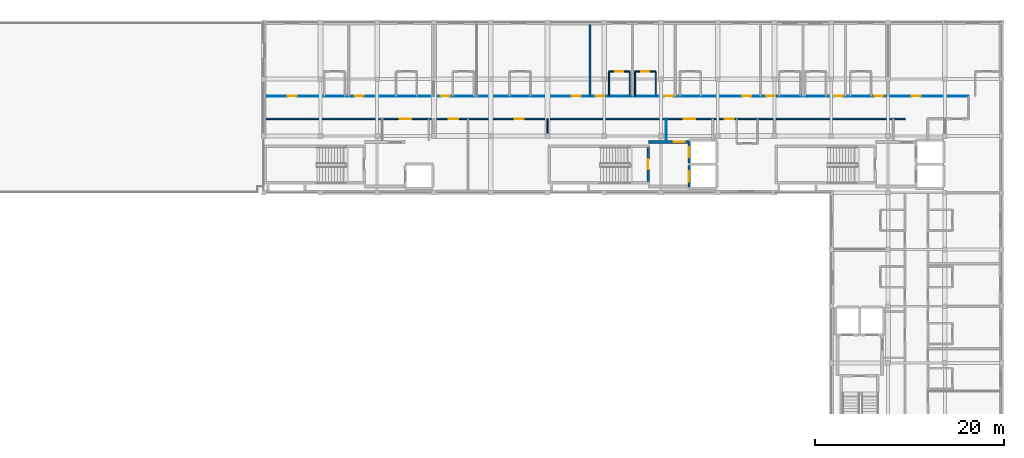
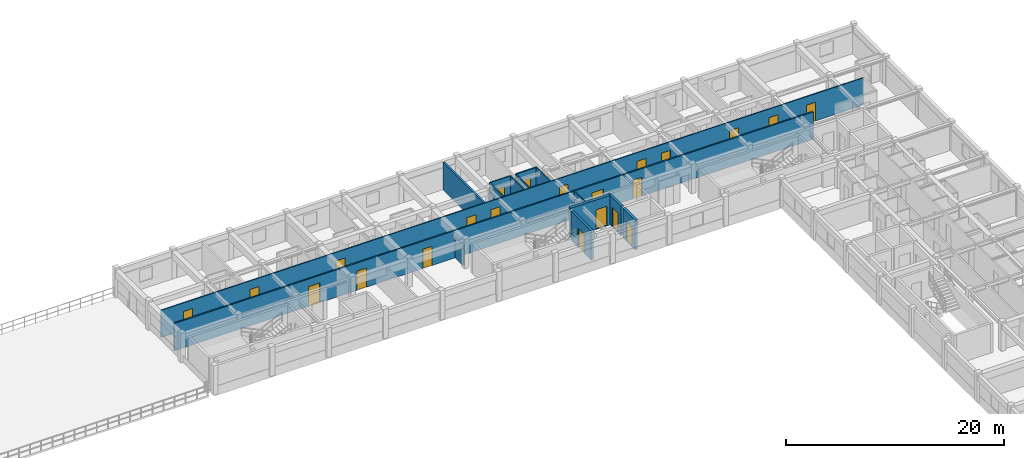
# One storey, part 8 of 15: 22 doors, 15 walls, 22 openings.
"""IFC4 building model written with IfcOpenShell, lengths in metres."""

from ifc_helpers import new_model, si_unit, direction, frame, frame_2d, origin, place, context, subcontext, project, spatial, rectangle, extrude, material, layer, layer_set, type_object, element, fill, save


model = new_model("IFC4")

# Units and contexts
model_context = context("Model", 3, precision=1e-05, world=origin(), true_north=direction((0.0, 1.0)))
body_context = subcontext(model_context, "Body", "Model", "MODEL_VIEW")
ifc_project = project(units=[si_unit("LENGTHUNIT", "METRE"), si_unit("AREAUNIT", "SQUARE_METRE"), si_unit("VOLUMEUNIT", "CUBIC_METRE"), si_unit("PLANEANGLEUNIT", "RADIAN"), si_unit("MASSUNIT", "GRAM", prefix="KILO"), si_unit("THERMODYNAMICTEMPERATUREUNIT", "KELVIN"), si_unit("POWERUNIT", "WATT")], contexts=[model_context])

# Site, building, storey
site_placement = place(None, origin())
site = spatial("IfcSite", under=ifc_project, at=site_placement, CompositionType="ELEMENT")
building_placement = place(site_placement, origin())
building = spatial("IfcBuilding", under=site, at=building_placement, Name="Phaisarnlok Congress Hotel", CompositionType="ELEMENT")
storey_placement = place(building_placement, frame((0.0, 0.0, 38.10009765625)))
storey = spatial("IfcBuildingStorey", under=building, at=storey_placement, Name="L09", CompositionType="ELEMENT", Elevation=38.10009765625)

# Wall
ifc_material_1 = material(Name="Service Riser Shaftwall Partition", Category="gypsum")
ifc_layer_1 = layer(ifc_material_1, 0.10498046875, Name="Service Riser Shaftwall Partition")
ifc_layer_set_1 = layer_set([ifc_layer_1], Name="Service Riser Shaftwall Partition")
wall_type_1 = type_object("IfcWallType", Name="WL-INT-105", PredefinedType="PARTITIONING", material=ifc_layer_set_1)
wall_1_placement = place(storey_placement, frame((144.550048828125, 113.56005859375, 0.0), z_axis=(0.0, 0.0, 1.0), x_axis=(0.0, 1.0, 0.0)))
element("IfcWall", 1, at=wall_1_placement, inside=storey, type_object=wall_type_1, Name="Interior partition wall IW-08 (L09)", PredefinedType="PARTITIONING", context=body_context, shape_type="SweptSolid", body=[
    extrude(rectangle(XDim=2.239990234375, YDim=0.10498046875, at=frame_2d((1.1201171875, 0.0))), origin(), (0.0, 0.0, 1.0), 3.059814453125),
])

# Wall, openings, doors
wall_2_placement = place(storey_placement, frame((102.215087890625, 118.199951171875, 0.0), z_axis=(0.0, 0.0, 1.0), x_axis=(1.0, 0.0, 0.0)))
wall_2 = element("IfcWall", 2, at=wall_2_placement, inside=storey, type_object=wall_type_1, Name="Interior partition wall IW-08 (L09)", PredefinedType="PARTITIONING", context=body_context, shape_type="SweptSolid", body=[
    extrude(rectangle(XDim=74.284912109375, YDim=0.10498046875, at=frame_2d((37.142578125, 0.0))), origin(), (0.0, 0.0, 1.0), 3.059814453125),
])
opening_1_placement = place(wall_2_placement, frame((2.360107421875, 0.0, 0.0)))
opening_1 = element("IfcOpeningElement", 3, at=opening_1_placement, cuts=wall_2, Name="Opening D-0493", PredefinedType="OPENING", context=body_context, shape_type="SweptSolid", body=[
    extrude(rectangle(XDim=0.949951171875, YDim=2.10009765625, at=frame_2d((0.47509765625, 1.050048828125))), frame((0.0, 0.0625, 0.0), z_axis=(0.0, -1.0, 0.0), x_axis=(1.0, 0.0, 0.0)), (0.0, 0.0, 1.0), 0.125),
])
opening_2_placement = place(wall_2_placement, frame((9.409912109375, 0.0, 0.0)))
opening_2 = element("IfcOpeningElement", 4, at=opening_2_placement, cuts=wall_2, Name="Opening D-0495", PredefinedType="OPENING", context=body_context, shape_type="SweptSolid", body=[
    extrude(rectangle(XDim=0.949951171875, YDim=2.10009765625, at=frame_2d((0.47509765625, 1.050048828125))), frame((0.0, 0.0625, 0.0), z_axis=(0.0, -1.0, 0.0), x_axis=(1.0, 0.0, 0.0)), (0.0, 0.0, 1.0), 0.125),
])
opening_3_placement = place(wall_2_placement, frame((18.510009765625, 0.0, 0.0)))
opening_3 = element("IfcOpeningElement", 5, at=opening_3_placement, cuts=wall_2, Name="Opening D-0497", PredefinedType="OPENING", context=body_context, shape_type="SweptSolid", body=[
    extrude(rectangle(XDim=0.949951171875, YDim=2.10009765625, at=frame_2d((0.47509765625, 1.050048828125))), frame((0.0, 0.0625, 0.0), z_axis=(0.0, -1.0, 0.0), x_axis=(1.0, 0.0, 0.0)), (0.0, 0.0, 1.0), 0.125),
])
opening_4_placement = place(wall_2_placement, frame((32.360107421875, 0.0, 0.0)))
opening_4 = element("IfcOpeningElement", 6, at=opening_4_placement, cuts=wall_2, Name="Opening D-0499", PredefinedType="OPENING", context=body_context, shape_type="SweptSolid", body=[
    extrude(rectangle(XDim=0.949951171875, YDim=2.10009765625, at=frame_2d((0.47509765625, 1.050048828125))), frame((0.0, 0.0625, 0.0), z_axis=(0.0, -1.0, 0.0), x_axis=(1.0, 0.0, 0.0)), (0.0, 0.0, 1.0), 0.125),
])
opening_5_placement = place(wall_2_placement, frame((34.909912109375, 0.0, 0.0)))
opening_5 = element("IfcOpeningElement", 7, at=opening_5_placement, cuts=wall_2, Name="Opening D-0501", PredefinedType="OPENING", context=body_context, shape_type="SweptSolid", body=[
    extrude(rectangle(XDim=0.949951171875, YDim=2.10009765625, at=frame_2d((0.47509765625, 1.050048828125))), frame((0.0, 0.0625, 0.0), z_axis=(0.0, -1.0, 0.0), x_axis=(1.0, 0.0, 0.0)), (0.0, 0.0, 1.0), 0.125),
])
opening_6_placement = place(wall_2_placement, frame((42.110107421875, 0.0, 0.0)))
opening_6 = element("IfcOpeningElement", 8, at=opening_6_placement, cuts=wall_2, Name="Opening D-0503", PredefinedType="OPENING", context=body_context, shape_type="SweptSolid", body=[
    extrude(rectangle(XDim=0.949951171875, YDim=2.10009765625, at=frame_2d((0.47509765625, 1.050048828125))), frame((0.0, 0.0625, 0.0), z_axis=(0.0, -1.0, 0.0), x_axis=(1.0, 0.0, 0.0)), (0.0, 0.0, 1.0), 0.125),
])
opening_7_placement = place(wall_2_placement, frame((50.360107421875, 0.0, 0.0)))
opening_7 = element("IfcOpeningElement", 9, at=opening_7_placement, cuts=wall_2, Name="Opening D-0505", PredefinedType="OPENING", context=body_context, shape_type="SweptSolid", body=[
    extrude(rectangle(XDim=0.949951171875, YDim=2.10009765625, at=frame_2d((0.47509765625, 1.050048828125))), frame((0.0, 0.0625, 0.0), z_axis=(0.0, -1.0, 0.0), x_axis=(1.0, 0.0, 0.0)), (0.0, 0.0, 1.0), 0.125),
])
opening_8_placement = place(wall_2_placement, frame((52.909912109375, 0.0, 0.0)))
opening_8 = element("IfcOpeningElement", 10, at=opening_8_placement, cuts=wall_2, Name="Opening D-0507", PredefinedType="OPENING", context=body_context, shape_type="SweptSolid", body=[
    extrude(rectangle(XDim=0.949951171875, YDim=2.10009765625, at=frame_2d((0.47509765625, 1.050048828125))), frame((0.0, 0.0625, 0.0), z_axis=(0.0, -1.0, 0.0), x_axis=(1.0, 0.0, 0.0)), (0.0, 0.0, 1.0), 0.125),
])
opening_9_placement = place(wall_2_placement, frame((60.110107421875, 0.0, 0.0)))
opening_9 = element("IfcOpeningElement", 11, at=opening_9_placement, cuts=wall_2, Name="Opening D-0509", PredefinedType="OPENING", context=body_context, shape_type="SweptSolid", body=[
    extrude(rectangle(XDim=0.949951171875, YDim=2.10009765625, at=frame_2d((0.47509765625, 1.050048828125))), frame((0.0, 0.0625, 0.0), z_axis=(0.0, -1.0, 0.0), x_axis=(1.0, 0.0, 0.0)), (0.0, 0.0, 1.0), 0.125),
])
opening_10_placement = place(wall_2_placement, frame((64.31005859375, 0.0, 0.0)))
opening_10 = element("IfcOpeningElement", 12, at=opening_10_placement, cuts=wall_2, Name="Opening D-0511", PredefinedType="OPENING", context=body_context, shape_type="SweptSolid", body=[
    extrude(rectangle(XDim=0.949951171875, YDim=2.10009765625, at=frame_2d((0.47509765625, 1.050048828125))), frame((0.0, 0.0625, 0.0), z_axis=(0.0, -1.0, 0.0), x_axis=(1.0, 0.0, 0.0)), (0.0, 0.0, 1.0), 0.125),
])
opening_11_placement = place(wall_2_placement, frame((68.260009765625, 0.0, 0.0)))
opening_11 = element("IfcOpeningElement", 13, at=opening_11_placement, cuts=wall_2, Name="Opening D-0513", PredefinedType="OPENING", context=body_context, shape_type="SweptSolid", body=[
    extrude(rectangle(XDim=0.949951171875, YDim=2.10009765625, at=frame_2d((0.47509765625, 1.050048828125))), frame((0.0, 0.0625, 0.0), z_axis=(0.0, -1.0, 0.0), x_axis=(1.0, 0.0, 0.0)), (0.0, 0.0, 1.0), 0.125),
])
ifc_material_2 = material(Name="Acoustic Solid-Core Teak Veneer", Category="wood")
door_type_1 = type_object("IfcDoorType", Name="DR-FD30-950", OperationType="NOTDEFINED", PredefinedType="DOOR", material=ifc_material_2)
door_1_placement = place(opening_1_placement, origin())
door_1 = element("IfcDoor", 14, at=door_1_placement, inside=storey, type_object=door_type_1, Name="Interior door D-0493 (L09)", OperationType="SINGLE_SWING_RIGHT", OverallHeight=2.10009765625, OverallWidth=0.949951171875, PredefinedType="DOOR", context=body_context, shape_type="SweptSolid", body=[
    extrude(rectangle(XDim=0.949951171875, YDim=2.10009765625, at=frame_2d((0.47509765625, 1.050048828125))), frame((0.0, 0.02490234375, 0.0), z_axis=(0.0, -1.0, 0.0), x_axis=(1.0, 0.0, 0.0)), (0.0, 0.0, 1.0), 0.050048828125),
])
fill(opening_1, door_1)
door_2_placement = place(opening_2_placement, origin())
door_2 = element("IfcDoor", 15, at=door_2_placement, inside=storey, type_object=door_type_1, Name="Interior door D-0495 (L09)", OperationType="SINGLE_SWING_RIGHT", OverallHeight=2.10009765625, OverallWidth=0.949951171875, PredefinedType="DOOR", context=body_context, shape_type="SweptSolid", body=[
    extrude(rectangle(XDim=0.949951171875, YDim=2.10009765625, at=frame_2d((0.47509765625, 1.050048828125))), frame((0.0, 0.02490234375, 0.0), z_axis=(0.0, -1.0, 0.0), x_axis=(1.0, 0.0, 0.0)), (0.0, 0.0, 1.0), 0.050048828125),
])
fill(opening_2, door_2)
door_3_placement = place(opening_3_placement, origin())
door_3 = element("IfcDoor", 16, at=door_3_placement, inside=storey, type_object=door_type_1, Name="Interior door D-0497 (L09)", OperationType="SINGLE_SWING_RIGHT", OverallHeight=2.10009765625, OverallWidth=0.949951171875, PredefinedType="DOOR", context=body_context, shape_type="SweptSolid", body=[
    extrude(rectangle(XDim=0.949951171875, YDim=2.10009765625, at=frame_2d((0.47509765625, 1.050048828125))), frame((0.0, 0.02490234375, 0.0), z_axis=(0.0, -1.0, 0.0), x_axis=(1.0, 0.0, 0.0)), (0.0, 0.0, 1.0), 0.050048828125),
])
fill(opening_3, door_3)
door_4_placement = place(opening_4_placement, origin())
door_4 = element("IfcDoor", 17, at=door_4_placement, inside=storey, type_object=door_type_1, Name="Interior door D-0499 (L09)", OperationType="SINGLE_SWING_RIGHT", OverallHeight=2.10009765625, OverallWidth=0.949951171875, PredefinedType="DOOR", context=body_context, shape_type="SweptSolid", body=[
    extrude(rectangle(XDim=0.949951171875, YDim=2.10009765625, at=frame_2d((0.47509765625, 1.050048828125))), frame((0.0, 0.02490234375, 0.0), z_axis=(0.0, -1.0, 0.0), x_axis=(1.0, 0.0, 0.0)), (0.0, 0.0, 1.0), 0.050048828125),
])
fill(opening_4, door_4)
door_5_placement = place(opening_5_placement, origin())
door_5 = element("IfcDoor", 18, at=door_5_placement, inside=storey, type_object=door_type_1, Name="Interior door D-0501 (L09)", OperationType="SINGLE_SWING_RIGHT", OverallHeight=2.10009765625, OverallWidth=0.949951171875, PredefinedType="DOOR", context=body_context, shape_type="SweptSolid", body=[
    extrude(rectangle(XDim=0.949951171875, YDim=2.10009765625, at=frame_2d((0.47509765625, 1.050048828125))), frame((0.0, 0.02490234375, 0.0), z_axis=(0.0, -1.0, 0.0), x_axis=(1.0, 0.0, 0.0)), (0.0, 0.0, 1.0), 0.050048828125),
])
fill(opening_5, door_5)
door_6_placement = place(opening_6_placement, origin())
door_6 = element("IfcDoor", 19, at=door_6_placement, inside=storey, type_object=door_type_1, Name="Interior door D-0503 (L09)", OperationType="SINGLE_SWING_RIGHT", OverallHeight=2.10009765625, OverallWidth=0.949951171875, PredefinedType="DOOR", context=body_context, shape_type="SweptSolid", body=[
    extrude(rectangle(XDim=0.949951171875, YDim=2.10009765625, at=frame_2d((0.47509765625, 1.050048828125))), frame((0.0, 0.02490234375, 0.0), z_axis=(0.0, -1.0, 0.0), x_axis=(1.0, 0.0, 0.0)), (0.0, 0.0, 1.0), 0.050048828125),
])
fill(opening_6, door_6)
door_7_placement = place(opening_7_placement, origin())
door_7 = element("IfcDoor", 20, at=door_7_placement, inside=storey, type_object=door_type_1, Name="Interior door D-0505 (L09)", OperationType="SINGLE_SWING_RIGHT", OverallHeight=2.10009765625, OverallWidth=0.949951171875, PredefinedType="DOOR", context=body_context, shape_type="SweptSolid", body=[
    extrude(rectangle(XDim=0.949951171875, YDim=2.10009765625, at=frame_2d((0.47509765625, 1.050048828125))), frame((0.0, 0.02490234375, 0.0), z_axis=(0.0, -1.0, 0.0), x_axis=(1.0, 0.0, 0.0)), (0.0, 0.0, 1.0), 0.050048828125),
])
fill(opening_7, door_7)
door_8_placement = place(opening_8_placement, origin())
door_8 = element("IfcDoor", 21, at=door_8_placement, inside=storey, type_object=door_type_1, Name="Interior door D-0507 (L09)", OperationType="SINGLE_SWING_RIGHT", OverallHeight=2.10009765625, OverallWidth=0.949951171875, PredefinedType="DOOR", context=body_context, shape_type="SweptSolid", body=[
    extrude(rectangle(XDim=0.949951171875, YDim=2.10009765625, at=frame_2d((0.47509765625, 1.050048828125))), frame((0.0, 0.02490234375, 0.0), z_axis=(0.0, -1.0, 0.0), x_axis=(1.0, 0.0, 0.0)), (0.0, 0.0, 1.0), 0.050048828125),
])
fill(opening_8, door_8)
door_9_placement = place(opening_9_placement, origin())
door_9 = element("IfcDoor", 22, at=door_9_placement, inside=storey, type_object=door_type_1, Name="Interior door D-0509 (L09)", OperationType="SINGLE_SWING_RIGHT", OverallHeight=2.10009765625, OverallWidth=0.949951171875, PredefinedType="DOOR", context=body_context, shape_type="SweptSolid", body=[
    extrude(rectangle(XDim=0.949951171875, YDim=2.10009765625, at=frame_2d((0.47509765625, 1.050048828125))), frame((0.0, 0.02490234375, 0.0), z_axis=(0.0, -1.0, 0.0), x_axis=(1.0, 0.0, 0.0)), (0.0, 0.0, 1.0), 0.050048828125),
])
fill(opening_9, door_9)
door_10_placement = place(opening_10_placement, origin())
door_10 = element("IfcDoor", 23, at=door_10_placement, inside=storey, type_object=door_type_1, Name="Interior door D-0511 (L09)", OperationType="SINGLE_SWING_RIGHT", OverallHeight=2.10009765625, OverallWidth=0.949951171875, PredefinedType="DOOR", context=body_context, shape_type="SweptSolid", body=[
    extrude(rectangle(XDim=0.949951171875, YDim=2.10009765625, at=frame_2d((0.47509765625, 1.050048828125))), frame((0.0, 0.02490234375, 0.0), z_axis=(0.0, -1.0, 0.0), x_axis=(1.0, 0.0, 0.0)), (0.0, 0.0, 1.0), 0.050048828125),
])
fill(opening_10, door_10)
door_11_placement = place(opening_11_placement, origin())
door_11 = element("IfcDoor", 24, at=door_11_placement, inside=storey, type_object=door_type_1, Name="Interior door D-0513 (L09)", OperationType="SINGLE_SWING_RIGHT", OverallHeight=2.10009765625, OverallWidth=0.949951171875, PredefinedType="DOOR", context=body_context, shape_type="SweptSolid", body=[
    extrude(rectangle(XDim=0.949951171875, YDim=2.10009765625, at=frame_2d((0.47509765625, 1.050048828125))), frame((0.0, 0.02490234375, 0.0), z_axis=(0.0, -1.0, 0.0), x_axis=(1.0, 0.0, 0.0)), (0.0, 0.0, 1.0), 0.050048828125),
])
fill(opening_11, door_11)

# Walls
ifc_material_3 = material(Name="Lightweight Metal-Stud Gypsum Partition", Category="gypsum")
ifc_layer_2 = layer(ifc_material_3, 0.1201171875, Name="Lightweight Metal-Stud Gypsum Partition")
ifc_layer_set_2 = layer_set([ifc_layer_2], Name="Lightweight Metal-Stud Gypsum Partition")
wall_type_2 = type_object("IfcWallType", Name="WL-INT-120", PredefinedType="PARTITIONING", material=ifc_layer_set_2)
for number, where, z_axis, x_axis, name in (
    (25, (140.699951171875, 118.199951171875, 0.0), (0.0, 0.0, 1.0), (0.0, 1.0, 0.0), "Interior partition wall IW-07 (L09)"),
    (26, (141.25, 118.199951171875, 0.0), (0.0, 0.0, 1.0), (0.0, 1.0, 0.0), "Interior partition wall IW-07 (L09)"),
):
    element("IfcWall", number, at=place(storey_placement, frame(where, z_axis=z_axis, x_axis=x_axis)), inside=storey, type_object=wall_type_2, Name=name, PredefinedType="PARTITIONING", context=body_context, shape_type="SweptSolid", body=[
        extrude(rectangle(XDim=2.60009765625, YDim=0.1201171875, at=frame_2d((1.300048828125, 0.0))), origin(), (0.0, 0.0, 1.0), 3.059814453125),
    ])

# Wall, opening, door
wall_3_placement = place(storey_placement, frame((138.5, 120.800048828125, 0.0), z_axis=(0.0, 0.0, 1.0), x_axis=(1.0, 0.0, 0.0)))
wall_3 = element("IfcWall", 27, at=wall_3_placement, inside=storey, type_object=wall_type_2, Name="Interior partition wall IW-07 (L09)", PredefinedType="PARTITIONING", context=body_context, shape_type="SweptSolid", body=[
    extrude(rectangle(XDim=2.199951171875, YDim=0.1201171875, at=frame_2d((1.10009765625, 0.0))), origin(), (0.0, 0.0, 1.0), 3.059814453125),
])
opening_12_placement = place(wall_3_placement, frame((0.675048828125, 0.0, 0.0)))
opening_12 = element("IfcOpeningElement", 28, at=opening_12_placement, cuts=wall_3, Name="Opening D-0500", PredefinedType="OPENING", context=body_context, shape_type="SweptSolid", body=[
    extrude(rectangle(XDim=0.85009765625, YDim=2.10009765625, at=frame_2d((0.425048828125, 1.050048828125))), frame((0.0, 0.070068359375, 0.0), z_axis=(0.0, -1.0, 0.0), x_axis=(1.0, 0.0, 0.0)), (0.0, 0.0, 1.0), 0.14013671875),
])
ifc_material_4 = material(Name="Moisture-Resistant Lacquered Timber", Category="wood")
door_type_2 = type_object("IfcDoorType", Name="DR-BATH-850", OperationType="NOTDEFINED", PredefinedType="DOOR", material=ifc_material_4)
door_12_placement = place(opening_12_placement, origin())
door_12 = element("IfcDoor", 29, at=door_12_placement, inside=storey, type_object=door_type_2, Name="Interior door D-0500 (L09)", OperationType="SINGLE_SWING_LEFT", OverallHeight=2.10009765625, OverallWidth=0.85009765625, PredefinedType="DOOR", context=body_context, shape_type="SweptSolid", body=[
    extrude(rectangle(XDim=0.85009765625, YDim=2.10009765625, at=frame_2d((0.425048828125, 1.050048828125))), frame((0.0, 0.02490234375, 0.0), z_axis=(0.0, -1.0, 0.0), x_axis=(1.0, 0.0, 0.0)), (0.0, 0.0, 1.0), 0.050048828125),
])
fill(opening_12, door_12)

# Walls
ifc_material_5 = material(Name="Moisture-Resistant Gypsum Partition", Category="gypsum")
ifc_layer_3 = layer(ifc_material_5, 0.135009765625, Name="Moisture-Resistant Gypsum Partition")
ifc_layer_set_3 = layer_set([ifc_layer_3], Name="Moisture-Resistant Gypsum Partition")
wall_type_3 = type_object("IfcWallType", Name="WL-INT-135", PredefinedType="PARTITIONING", material=ifc_layer_set_3)
for number, where, z_axis, x_axis, name in (
    (30, (138.5, 118.199951171875, 0.0), (0.0, 0.0, 1.0), (0.0, 1.0, 0.0), "Interior partition wall IW-06 (L09)"),
    (31, (143.449951171875, 118.199951171875, 0.0), (0.0, 0.0, 1.0), (0.0, 1.0, 0.0), "Interior partition wall IW-06 (L09)"),
):
    element("IfcWall", number, at=place(storey_placement, frame(where, z_axis=z_axis, x_axis=x_axis)), inside=storey, type_object=wall_type_3, Name=name, PredefinedType="PARTITIONING", context=body_context, shape_type="SweptSolid", body=[
        extrude(rectangle(XDim=2.60009765625, YDim=0.135009765625, at=frame_2d((1.300048828125, 0.0))), origin(), (0.0, 0.0, 1.0), 3.059814453125),
    ])

# Wall, opening, door
wall_4_placement = place(storey_placement, frame((141.25, 120.800048828125, 0.0), z_axis=(0.0, 0.0, 1.0), x_axis=(1.0, 0.0, 0.0)))
wall_4 = element("IfcWall", 32, at=wall_4_placement, inside=storey, type_object=wall_type_3, Name="Interior partition wall IW-06 (L09)", PredefinedType="PARTITIONING", context=body_context, shape_type="SweptSolid", body=[
    extrude(rectangle(XDim=2.199951171875, YDim=0.135009765625, at=frame_2d((1.10009765625, 0.0))), origin(), (0.0, 0.0, 1.0), 3.059814453125),
])
opening_13_placement = place(wall_4_placement, frame((0.675048828125, 0.0, 0.0)))
opening_13 = element("IfcOpeningElement", 33, at=opening_13_placement, cuts=wall_4, Name="Opening D-0502", PredefinedType="OPENING", context=body_context, shape_type="SweptSolid", body=[
    extrude(rectangle(XDim=0.85009765625, YDim=2.10009765625, at=frame_2d((0.425048828125, 1.050048828125))), frame((0.0, 0.07763671875, 0.0), z_axis=(0.0, -1.0, 0.0), x_axis=(1.0, 0.0, 0.0)), (0.0, 0.0, 1.0), 0.155029296875),
])
door_13_placement = place(opening_13_placement, origin())
door_13 = element("IfcDoor", 34, at=door_13_placement, inside=storey, type_object=door_type_2, Name="Interior door D-0502 (L09)", OperationType="SINGLE_SWING_LEFT", OverallHeight=2.10009765625, OverallWidth=0.85009765625, PredefinedType="DOOR", context=body_context, shape_type="SweptSolid", body=[
    extrude(rectangle(XDim=0.85009765625, YDim=2.10009765625, at=frame_2d((0.425048828125, 1.050048828125))), frame((0.0, 0.02490234375, 0.0), z_axis=(0.0, -1.0, 0.0), x_axis=(1.0, 0.0, 0.0)), (0.0, 0.0, 1.0), 0.050048828125),
])
fill(opening_13, door_13)

# Wall
ifc_material_6 = material(Name="Acoustic Gypsum Board & Mineral Wool", Category="gypsum")
ifc_layer_4 = layer(ifc_material_6, 0.14990234375, Name="Acoustic Gypsum Board & Mineral Wool")
ifc_layer_set_4 = layer_set([ifc_layer_4], Name="Acoustic Gypsum Board & Mineral Wool")
wall_type_4 = type_object("IfcWallType", Name="WL-INT-150", PredefinedType="PARTITIONING", material=ifc_layer_set_4)
wall_5_placement = place(storey_placement, frame((132.0, 114.2548828125, 0.0), z_axis=(0.0, 0.0, 1.0), x_axis=(0.0, 1.0, 0.0)))
element("IfcWall", 35, at=wall_5_placement, inside=storey, type_object=wall_type_4, Name="Interior partition wall IW-05 (L09)", PredefinedType="PARTITIONING", context=body_context, shape_type="SweptSolid", body=[
    extrude(rectangle(XDim=1.545166015625, YDim=0.14990234375, at=frame_2d((0.7724609375, 0.0))), origin(), (0.0, 0.0, 1.0), 2.260009765625),
])

# Wall, openings, doors
wall_6_placement = place(storey_placement, frame((102.215087890625, 115.800048828125, 0.0), z_axis=(0.0, 0.0, 1.0), x_axis=(1.0, 0.0, 0.0)))
wall_6 = element("IfcWall", 36, at=wall_6_placement, inside=storey, type_object=wall_type_4, Name="Interior partition wall IW-05 (L09)", PredefinedType="PARTITIONING", context=body_context, shape_type="SweptSolid", body=[
    extrude(rectangle(XDim=67.5849609375, YDim=0.14990234375, at=frame_2d((33.79248046875, 0.0))), origin(), (0.0, 0.0, 1.0), 3.059814453125),
])
opening_14_placement = place(wall_6_placement, frame((44.18505859375, 0.0, 0.0)))
opening_14 = element("IfcOpeningElement", 37, at=opening_14_placement, cuts=wall_6, Name="Opening D-0486", PredefinedType="OPENING", context=body_context, shape_type="SweptSolid", body=[
    extrude(rectangle(XDim=1.199951171875, YDim=2.199951171875, at=frame_2d((0.60009765625, 1.10009765625))), frame((0.0, 0.0849609375, 0.0), z_axis=(0.0, -1.0, 0.0), x_axis=(1.0, 0.0, 0.0)), (0.0, 0.0, 1.0), 0.169921875),
])
opening_15_placement = place(wall_6_placement, frame((14.18505859375, 0.0, 0.0)))
opening_15 = element("IfcOpeningElement", 38, at=opening_15_placement, cuts=wall_6, Name="Opening D-0487", PredefinedType="OPENING", context=body_context, shape_type="SweptSolid", body=[
    extrude(rectangle(XDim=1.199951171875, YDim=2.199951171875, at=frame_2d((0.60009765625, 1.10009765625))), frame((0.0, 0.0849609375, 0.0), z_axis=(0.0, -1.0, 0.0), x_axis=(1.0, 0.0, 0.0)), (0.0, 0.0, 1.0), 0.169921875),
])
opening_16_placement = place(wall_6_placement, frame((19.3349609375, 0.0, 0.0)))
opening_16 = element("IfcOpeningElement", 39, at=opening_16_placement, cuts=wall_6, Name="Opening D-0489", PredefinedType="OPENING", context=body_context, shape_type="SweptSolid", body=[
    extrude(rectangle(XDim=1.0, YDim=2.14990234375, at=frame_2d((0.5, 1.074951171875))), frame((0.0, 0.0849609375, 0.0), z_axis=(0.0, -1.0, 0.0), x_axis=(1.0, 0.0, 0.0)), (0.0, 0.0, 1.0), 0.169921875),
])
opening_17_placement = place(wall_6_placement, frame((26.304931640625, 0.0, 0.0)))
opening_17 = element("IfcOpeningElement", 40, at=opening_17_placement, cuts=wall_6, Name="Opening D-0490", PredefinedType="OPENING", context=body_context, shape_type="SweptSolid", body=[
    extrude(rectangle(XDim=0.9599609375, YDim=2.14990234375, at=frame_2d((0.47998046875, 1.074951171875))), frame((0.0, 0.0849609375, 0.0), z_axis=(0.0, -1.0, 0.0), x_axis=(1.0, 0.0, 0.0)), (0.0, 0.0, 1.0), 0.169921875),
])
opening_18_placement = place(wall_6_placement, frame((48.510009765625, 0.0, 0.0)))
opening_18 = element("IfcOpeningElement", 41, at=opening_18_placement, cuts=wall_6, Name="Opening D-0515", PredefinedType="OPENING", context=body_context, shape_type="SweptSolid", body=[
    extrude(rectangle(XDim=0.949951171875, YDim=2.10009765625, at=frame_2d((0.47509765625, 1.050048828125))), frame((0.0, 0.0849609375, 0.0), z_axis=(0.0, -1.0, 0.0), x_axis=(1.0, 0.0, 0.0)), (0.0, 0.0, 1.0), 0.169921875),
])
door_14_placement = place(opening_18_placement, origin())
door_14 = element("IfcDoor", 42, at=door_14_placement, inside=storey, type_object=door_type_1, Name="Interior door D-0515 (L09)", OperationType="SINGLE_SWING_RIGHT", OverallHeight=2.10009765625, OverallWidth=0.949951171875, PredefinedType="DOOR", context=body_context, shape_type="SweptSolid", body=[
    extrude(rectangle(XDim=0.949951171875, YDim=2.10009765625, at=frame_2d((0.47509765625, 1.050048828125))), frame((0.0, 0.02490234375, 0.0), z_axis=(0.0, -1.0, 0.0), x_axis=(1.0, 0.0, 0.0)), (0.0, 0.0, 1.0), 0.050048828125),
])
fill(opening_18, door_14)
ifc_material_7 = material(Name="Fire-Rated Steel Frame & Timber Leaf", Category="steel")
door_type_3 = type_object("IfcDoorType", Name="DR-FD60-1200", OperationType="NOTDEFINED", PredefinedType="DOOR", material=ifc_material_7)
door_15_placement = place(opening_14_placement, origin())
door_15 = element("IfcDoor", 43, at=door_15_placement, inside=storey, type_object=door_type_3, Name="Interior door D-0486 (L09)", OperationType="SINGLE_SWING_LEFT", OverallHeight=2.199951171875, OverallWidth=1.199951171875, PredefinedType="DOOR", context=body_context, shape_type="SweptSolid", body=[
    extrude(rectangle(XDim=1.199951171875, YDim=2.199951171875, at=frame_2d((0.60009765625, 1.10009765625))), frame((0.0, 0.02490234375, 0.0), z_axis=(0.0, -1.0, 0.0), x_axis=(1.0, 0.0, 0.0)), (0.0, 0.0, 1.0), 0.050048828125),
])
fill(opening_14, door_15)
door_16_placement = place(opening_15_placement, origin())
door_16 = element("IfcDoor", 44, at=door_16_placement, inside=storey, type_object=door_type_3, Name="Interior door D-0487 (L09)", OperationType="SINGLE_SWING_RIGHT", OverallHeight=2.199951171875, OverallWidth=1.199951171875, PredefinedType="DOOR", context=body_context, shape_type="SweptSolid", body=[
    extrude(rectangle(XDim=1.199951171875, YDim=2.199951171875, at=frame_2d((0.60009765625, 1.10009765625))), frame((0.0, 0.02490234375, 0.0), z_axis=(0.0, -1.0, 0.0), x_axis=(1.0, 0.0, 0.0)), (0.0, 0.0, 1.0), 0.050048828125),
])
fill(opening_15, door_16)
door_type_4 = type_object("IfcDoorType", Name="DR-FD60-950", OperationType="NOTDEFINED", PredefinedType="DOOR", material=ifc_material_7)
door_17_placement = place(opening_17_placement, origin())
door_17 = element("IfcDoor", 45, at=door_17_placement, inside=storey, type_object=door_type_4, Name="Interior door D-0490 (L09)", OperationType="SINGLE_SWING_LEFT", OverallHeight=2.14990234375, OverallWidth=0.9599609375, PredefinedType="DOOR", context=body_context, shape_type="SweptSolid", body=[
    extrude(rectangle(XDim=0.9599609375, YDim=2.14990234375, at=frame_2d((0.47998046875, 1.074951171875))), frame((0.0, 0.02490234375, 0.0), z_axis=(0.0, -1.0, 0.0), x_axis=(1.0, 0.0, 0.0)), (0.0, 0.0, 1.0), 0.050048828125),
])
fill(opening_17, door_17)
ifc_material_8 = material(Name="Solid-Core Oak Veneer", Category="wood")
door_type_5 = type_object("IfcDoorType", Name="DR-INT-1000", OperationType="NOTDEFINED", PredefinedType="DOOR", material=ifc_material_8)
door_18_placement = place(opening_16_placement, origin())
door_18 = element("IfcDoor", 46, at=door_18_placement, inside=storey, type_object=door_type_5, Name="Interior door D-0489 (L09)", OperationType="SINGLE_SWING_RIGHT", OverallHeight=2.14990234375, OverallWidth=1.0, PredefinedType="DOOR", context=body_context, shape_type="SweptSolid", body=[
    extrude(rectangle(XDim=1.0, YDim=2.14990234375, at=frame_2d((0.5, 1.074951171875))), frame((0.0, 0.02490234375, 0.0), z_axis=(0.0, -1.0, 0.0), x_axis=(1.0, 0.0, 0.0)), (0.0, 0.0, 1.0), 0.050048828125),
])
fill(opening_16, door_18)

# Wall
ifc_material_9 = material(Name="Autoclaved Aerated Concrete Block", Category="concrete")
ifc_layer_5 = layer(ifc_material_9, 0.199951171875, Name="Autoclaved Aerated Concrete Block")
ifc_layer_set_5 = layer_set([ifc_layer_5], Name="Autoclaved Aerated Concrete Block")
wall_type_5 = type_object("IfcWallType", Name="WL-INT-200", PredefinedType="PARTITIONING", material=ifc_layer_set_5)
wall_7_placement = place(storey_placement, frame((136.5, 118.199951171875, 0.0), z_axis=(0.0, 0.0, 1.0), x_axis=(0.0, 1.0, 0.0)))
element("IfcWall", 47, at=wall_7_placement, inside=storey, type_object=wall_type_5, Name="Interior partition wall IW-02 (L09)", PredefinedType="PARTITIONING", context=body_context, shape_type="SweptSolid", body=[
    extrude(rectangle(XDim=7.525146484375, YDim=0.199951171875, at=frame_2d((3.7626953125, 0.0))), origin(), (0.0, 0.0, 1.0), 3.059814453125),
])

# Wall, opening, door
ifc_material_10 = material(Name="Concrete C50/60", Category="concrete")
ifc_layer_6 = layer(ifc_material_10, 0.260009765625, Name="Concrete C50/60")
ifc_layer_set_6 = layer_set([ifc_layer_6], Name="Concrete C50/60")
wall_type_6 = type_object("IfcWallType", Name="WL-SHR-260", PredefinedType="SHEAR", material=ifc_layer_set_6)
wall_8_placement = place(storey_placement, frame((142.6298828125, 109.199951171875, 0.0), z_axis=(0.0, 0.0, 1.0), x_axis=(0.0, 1.0, 0.0)))
wall_8 = element("IfcWall", 48, at=wall_8_placement, inside=storey, type_object=wall_type_6, Name="Stair shaft shear wall SW-04 (CORE-2 L09)", PredefinedType="SHEAR", context=body_context, shape_type="SweptSolid", body=[
    extrude(rectangle(XDim=3.60009765625, YDim=0.260009765625, at=frame_2d((1.800048828125, 0.0))), origin(), (0.0, 0.0, 1.0), 3.2998046875),
])
opening_19_placement = place(wall_8_placement, frame((1.25, 0.0, 0.0)))
opening_19 = element("IfcOpeningElement", 49, at=opening_19_placement, cuts=wall_8, Name="Opening FD-041", PredefinedType="OPENING", context=body_context, shape_type="SweptSolid", body=[
    extrude(rectangle(XDim=1.10009765625, YDim=2.14990234375, at=frame_2d((0.550048828125, 1.074951171875))), frame((0.0, 0.14013671875, 0.0), z_axis=(0.0, -1.0, 0.0), x_axis=(1.0, 0.0, 0.0)), (0.0, 0.0, 1.0), 0.280029296875),
])
door_type_6 = type_object("IfcDoorType", Name="DR-FD60-1100", OperationType="NOTDEFINED", PredefinedType="DOOR", material=ifc_material_7)
door_19_placement = place(opening_19_placement, origin())
door_19 = element("IfcDoor", 50, at=door_19_placement, inside=storey, type_object=door_type_6, Name="Stair enclosure fire door FD-041 (L09)", OperationType="SINGLE_SWING_RIGHT", OverallHeight=2.14990234375, OverallWidth=1.10009765625, PredefinedType="DOOR", context=body_context, shape_type="SweptSolid", body=[
    extrude(rectangle(XDim=1.10009765625, YDim=2.14990234375, at=frame_2d((0.550048828125, 1.074951171875))), frame((0.0, 0.02490234375, 0.0), z_axis=(0.0, -1.0, 0.0), x_axis=(1.0, 0.0, 0.0)), (0.0, 0.0, 1.0), 0.050048828125),
])
fill(opening_19, door_19)

wall_9_placement = place(storey_placement, frame((146.969970703125, 108.60009765625, 0.0), z_axis=(0.0, 0.0, 1.0), x_axis=(0.0, 1.0, 0.0)))
wall_9 = element("IfcWall", 51, at=wall_9_placement, inside=storey, type_object=wall_type_6, Name="Lift shaft front wall SW-04 (LF-FF2 L09)", PredefinedType="SHEAR", context=body_context, shape_type="SweptSolid", body=[
    extrude(rectangle(XDim=2.25, YDim=0.260009765625, at=frame_2d((1.125, 0.0))), origin(), (0.0, 0.0, 1.0), 3.2998046875),
])
opening_20_placement = place(wall_9_placement, frame((0.574951171875, 0.0, 0.0)))
opening_20 = element("IfcOpeningElement", 52, at=opening_20_placement, cuts=wall_9, Name="Opening LD-041", PredefinedType="OPENING", context=body_context, shape_type="SweptSolid", body=[
    extrude(rectangle(XDim=1.10009765625, YDim=2.199951171875, at=frame_2d((0.550048828125, 1.10009765625))), frame((0.0, 0.14013671875, 0.0), z_axis=(0.0, -1.0, 0.0), x_axis=(1.0, 0.0, 0.0)), (0.0, 0.0, 1.0), 0.280029296875),
])
ifc_material_11 = material(Name="Brushed Stainless Steel Grade 304", Category="steel")
door_type_7 = type_object("IfcDoorType", Name="DR-LD-1100", OperationType="DOUBLE_DOOR_SLIDING", PredefinedType="DOOR", material=ifc_material_11)
door_20_placement = place(opening_20_placement, origin())
door_20 = element("IfcDoor", 53, at=door_20_placement, inside=storey, type_object=door_type_7, Name="Lift landing sliding door LD-041 (LF-FF2 L09)", OperationType="DOUBLE_DOOR_SLIDING", OverallHeight=2.199951171875, OverallWidth=1.10009765625, PredefinedType="DOOR", context=body_context, shape_type="SweptSolid", body=[
    extrude(rectangle(XDim=1.10009765625, YDim=2.199951171875, at=frame_2d((0.550048828125, 1.10009765625))), frame((0.0, 0.02490234375, 0.0), z_axis=(0.0, -1.0, 0.0), x_axis=(1.0, 0.0, 0.0)), (0.0, 0.0, 1.0), 0.050048828125),
])
fill(opening_20, door_20)

wall_10_placement = place(storey_placement, frame((146.969970703125, 111.14990234375, 0.0), z_axis=(0.0, 0.0, 1.0), x_axis=(0.0, 1.0, 0.0)))
wall_10 = element("IfcWall", 54, at=wall_10_placement, inside=storey, type_object=wall_type_6, Name="Lift shaft front wall SW-04 (LF-HP2 L09)", PredefinedType="SHEAR", context=body_context, shape_type="SweptSolid", body=[
    extrude(rectangle(XDim=2.25, YDim=0.260009765625, at=frame_2d((1.125, 0.0))), origin(), (0.0, 0.0, 1.0), 3.2998046875),
])
opening_21_placement = place(wall_10_placement, frame((0.574951171875, 0.0, 0.0)))
opening_21 = element("IfcOpeningElement", 55, at=opening_21_placement, cuts=wall_10, Name="Opening LD-056", PredefinedType="OPENING", context=body_context, shape_type="SweptSolid", body=[
    extrude(rectangle(XDim=1.10009765625, YDim=2.199951171875, at=frame_2d((0.550048828125, 1.10009765625))), frame((0.0, 0.14013671875, 0.0), z_axis=(0.0, -1.0, 0.0), x_axis=(1.0, 0.0, 0.0)), (0.0, 0.0, 1.0), 0.280029296875),
])
door_21_placement = place(opening_21_placement, origin())
door_21 = element("IfcDoor", 56, at=door_21_placement, inside=storey, type_object=door_type_7, Name="Lift landing sliding door LD-056 (LF-HP2 L09)", OperationType="DOUBLE_DOOR_SLIDING", OverallHeight=2.199951171875, OverallWidth=1.10009765625, PredefinedType="DOOR", context=body_context, shape_type="SweptSolid", body=[
    extrude(rectangle(XDim=1.10009765625, YDim=2.199951171875, at=frame_2d((0.550048828125, 1.10009765625))), frame((0.0, 0.02490234375, 0.0), z_axis=(0.0, -1.0, 0.0), x_axis=(1.0, 0.0, 0.0)), (0.0, 0.0, 1.0), 0.050048828125),
])
fill(opening_21, door_21)

ifc_layer_7 = layer(ifc_material_10, 0.300048828125, Name="Concrete C50/60")
ifc_layer_set_7 = layer_set([ifc_layer_7], Name="Concrete C50/60")
wall_type_7 = type_object("IfcWallType", Name="WL-SHR-300", PredefinedType="SHEAR", material=ifc_layer_set_7)
wall_11_placement = place(storey_placement, frame((142.679931640625, 113.35009765625, 0.0), z_axis=(0.0, 0.0, 1.0), x_axis=(1.0, 0.0, 0.0)))
wall_11 = element("IfcWall", 57, at=wall_11_placement, inside=storey, type_object=wall_type_7, Name="Core lobby EI-120 wall SW-03 (CORE-2 L09)", PredefinedType="SHEAR", context=body_context, shape_type="SweptSolid", body=[
    extrude(rectangle(XDim=4.239990234375, YDim=0.300048828125, at=frame_2d((2.1201171875, 0.0))), origin(), (0.0, 0.0, 1.0), 3.2998046875),
])
opening_22_placement = place(wall_11_placement, frame((2.64990234375, 0.0, 0.0)))
opening_22 = element("IfcOpeningElement", 58, at=opening_22_placement, cuts=wall_11, Name="Opening FD-056", PredefinedType="OPENING", context=body_context, shape_type="SweptSolid", body=[
    extrude(rectangle(XDim=1.199951171875, YDim=2.199951171875, at=frame_2d((0.60009765625, 1.10009765625))), frame((0.0, 0.16015625, 0.0), z_axis=(0.0, -1.0, 0.0), x_axis=(1.0, 0.0, 0.0)), (0.0, 0.0, 1.0), 0.320068359375),
])
door_22_placement = place(opening_22_placement, origin())
door_22 = element("IfcDoor", 59, at=door_22_placement, inside=storey, type_object=door_type_3, Name="Firefighting lobby entrance door FD-056 (CORE-2 L09)", OperationType="SINGLE_SWING_LEFT", OverallHeight=2.199951171875, OverallWidth=1.199951171875, PredefinedType="DOOR", context=body_context, shape_type="SweptSolid", body=[
    extrude(rectangle(XDim=1.199951171875, YDim=2.199951171875, at=frame_2d((0.60009765625, 1.10009765625))), frame((0.0, 0.02490234375, 0.0), z_axis=(0.0, -1.0, 0.0), x_axis=(1.0, 0.0, 0.0)), (0.0, 0.0, 1.0), 0.050048828125),
])
fill(opening_22, door_22)

save(model, "model.ifc")
